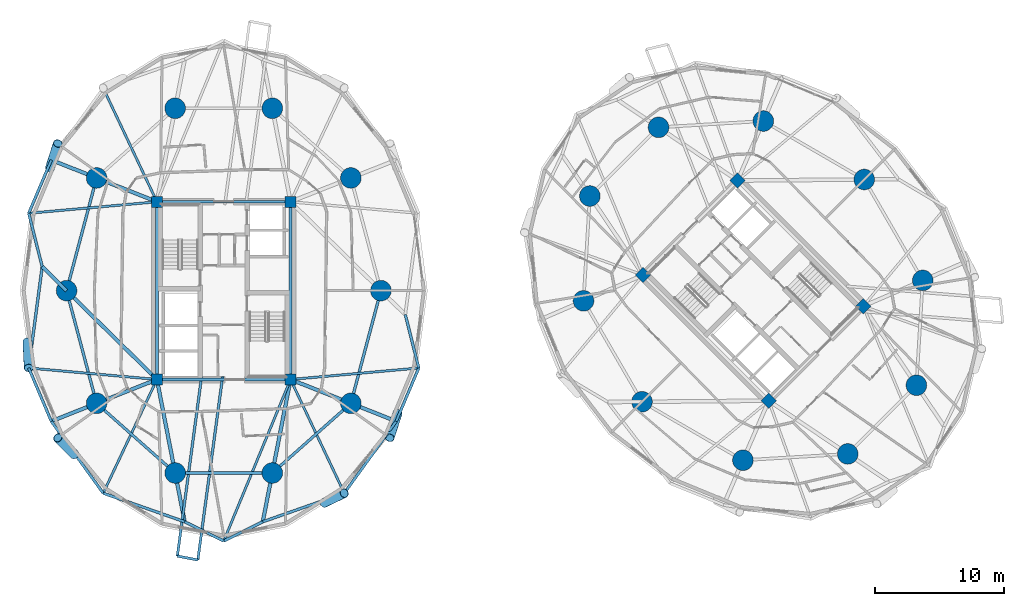
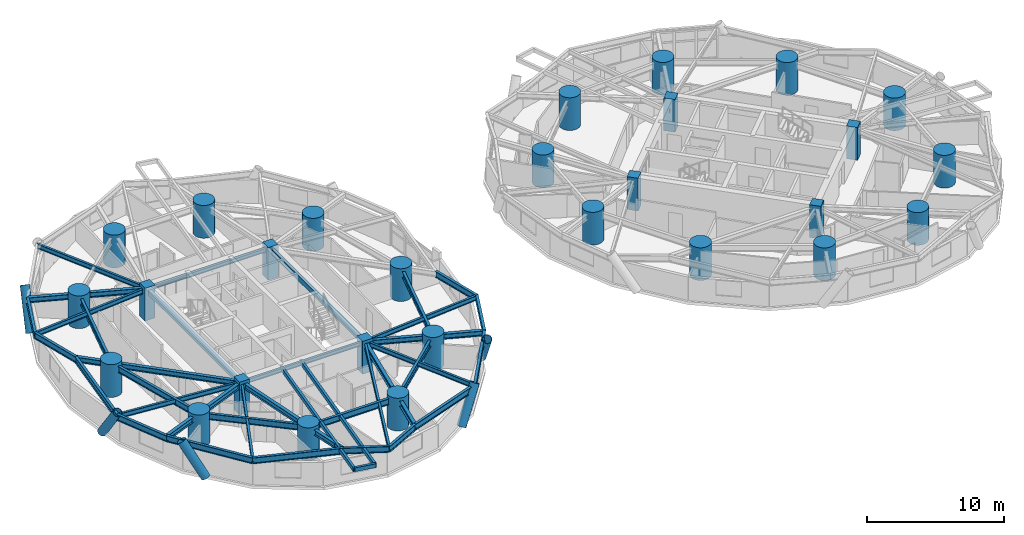
# One storey, part 1 of 18: 39 beams, 28 columns, 5 members.
"""IFC4 building model written with IfcOpenShell, lengths in metres."""

from ifc_helpers import new_model, si_unit, direction, frame, origin, origin_2d, place, context, subcontext, project, spatial, rectangle, hollow_rectangle, circle, hollow_circle, i_section, extrude, material, material_profile, profile_set, type_object, element, save


model = new_model("IFC4")

# Units and contexts
model_context = context("Model", 3, precision=1e-05, world=origin(), true_north=direction((0.0, 1.0)))
body_context = subcontext(model_context, "Body", "Model", "MODEL_VIEW")
ifc_project = project(units=[si_unit("LENGTHUNIT", "METRE"), si_unit("AREAUNIT", "SQUARE_METRE"), si_unit("VOLUMEUNIT", "CUBIC_METRE"), si_unit("PLANEANGLEUNIT", "RADIAN"), si_unit("MASSUNIT", "GRAM", prefix="KILO")], contexts=[model_context])

# Site, building, storey
site_placement = place(None, origin())
site = spatial("IfcSite", under=ifc_project, at=site_placement, CompositionType="ELEMENT")
building_placement = place(site_placement, origin())
building = spatial("IfcBuilding", under=site, at=building_placement, Name="Cununo Teusaquillo Station Towers", CompositionType="ELEMENT")
storey_placement = place(building_placement, frame((0.0, 0.0, 45.280029296875)))
storey = spatial("IfcBuildingStorey", under=building, at=storey_placement, Name="L13", CompositionType="ELEMENT", Elevation=45.280029296875)

# Columns
ifc_material_1 = material(Name="Concrete C50/60", Category="concrete")
ifc_material_profile_1 = material_profile(ifc_material_1, rectangle(XDim=0.85009765625, YDim=0.85009765625, at=origin_2d()), Name="RC-RECT-850x850")
ifc_profile_set_1 = profile_set([ifc_material_profile_1], Name="Concrete C50/60")
column_type_1 = type_object("IfcColumnType", Name="COL-CORE-Z1", PredefinedType="COLUMN", material=ifc_profile_set_1)
for number, where, z_axis, x_axis, name in (
    (1, (11.324951171875, 17.6201171875, 0.0), (0.0, 0.0, 1.0), (1.0, 0.0, 0.0), "L13 Tower A Core Column 1"),
    (2, (11.324951171875, 31.3798828125, 0.0), (0.0, 0.0, 1.0), (1.0, 0.0, 0.0), "L13 Tower A Core Column 2"),
    (3, (21.675048828125, 17.6201171875, 0.0), (0.0, 0.0, 1.0), (1.0, 0.0, 0.0), "L13 Tower A Core Column 3"),
    (4, (21.675048828125, 31.3798828125, 0.0), (0.0, 0.0, 1.0), (1.0, 0.0, 0.0), "L13 Tower A Core Column 4"),
    (5, (58.70556640625, 15.975830078125, 0.0), (0.0, 0.0, 1.0), (0.707106781187, 0.707106781187, 0.0), "L13 Tower B Core Column 1"),
    (6, (48.975830078125, 25.70556640625, 0.0), (0.0, 0.0, 1.0), (0.707106781187, 0.707106781187, 0.0), "L13 Tower B Core Column 2"),
    (7, (66.024169921875, 23.29443359375, 0.0), (0.0, 0.0, 1.0), (0.707106781187, 0.707106781187, 0.0), "L13 Tower B Core Column 3"),
    (8, (56.29443359375, 33.024169921875, 0.0), (0.0, 0.0, 1.0), (0.707106781187, 0.707106781187, 0.0), "L13 Tower B Core Column 4"),
):
    element("IfcColumn", number, at=place(storey_placement, frame(where, z_axis=z_axis, x_axis=x_axis)), inside=storey, type_object=column_type_1, Name=name, PredefinedType="COLUMN", context=body_context, shape_type="SweptSolid", body=[
        extrude(rectangle(XDim=0.85009765625, YDim=0.85009765625, at=origin_2d()), origin(), (0.0, 0.0, 1.0), 2.909912109375),
    ])
ifc_material_2 = material(Name="Concrete C60/75", Category="concrete")
ifc_material_profile_2 = material_profile(ifc_material_2, circle(Radius=0.800048828125, at=origin_2d()), Name="RC-CIRC-1600")
ifc_profile_set_2 = profile_set([ifc_material_profile_2], Name="Concrete C60/75")
column_type_2 = type_object("IfcColumnType", Name="COL-MEGA-Z1", PredefinedType="USERDEFINED", material=ifc_profile_set_2)
for number, where, z_axis, x_axis, name in (
    (9, (28.672119140625, 24.5, 0.0), (0.0, 0.0, 1.0), (1.0, 0.0, 0.0), "L13 Tower A Perimeter Column V00"),
    (10, (26.347412109375, 33.228515625, 0.0), (0.0, 0.0, 1.0), (1.0, 0.0, 0.0), "L13 Tower A Perimeter Column V02"),
    (11, (20.261474609375, 38.623291015625, 0.0), (0.0, 0.0, 1.0), (1.0, 0.0, 0.0), "L13 Tower A Perimeter Column V04"),
    (12, (12.738525390625, 38.623291015625, 0.0), (0.0, 0.0, 1.0), (1.0, 0.0, 0.0), "L13 Tower A Perimeter Column V06"),
    (13, (6.652587890625, 33.228515625, 0.0), (0.0, 0.0, 1.0), (1.0, 0.0, 0.0), "L13 Tower A Perimeter Column V08"),
    (14, (4.327880859375, 24.5, 0.0), (0.0, 0.0, 1.0), (1.0, 0.0, 0.0), "L13 Tower A Perimeter Column V10"),
    (15, (6.652587890625, 15.771484375, 0.0), (0.0, 0.0, 1.0), (1.0, 0.0, 0.0), "L13 Tower A Perimeter Column V12"),
    (16, (12.738525390625, 10.376708984375, 0.0), (0.0, 0.0, 1.0), (1.0, 0.0, 0.0), "L13 Tower A Perimeter Column V14"),
    (17, (20.261474609375, 10.376708984375, 0.0), (0.0, 0.0, 1.0), (1.0, 0.0, 0.0), "L13 Tower A Perimeter Column V16"),
    (18, (26.347412109375, 15.771484375, 0.0), (0.0, 0.0, 1.0), (1.0, 0.0, 0.0), "L13 Tower A Perimeter Column V18"),
    (19, (66.10693359375, 33.10693359375, 0.0), (0.0, 0.0, 1.0), (1.0, 0.0, 0.0), "L13 Tower B Perimeter Column V00"),
    (20, (58.291015625, 37.63525390625, 0.0), (0.0, 0.0, 1.0), (1.0, 0.0, 0.0), "L13 Tower B Perimeter Column V02"),
    (21, (50.173095703125, 37.146240234375, 0.0), (0.0, 0.0, 1.0), (1.0, 0.0, 0.0), "L13 Tower B Perimeter Column V04"),
    (22, (44.853759765625, 31.826904296875, 0.0), (0.0, 0.0, 1.0), (1.0, 0.0, 0.0), "L13 Tower B Perimeter Column V06"),
    (23, (44.36474609375, 23.708984375, 0.0), (0.0, 0.0, 1.0), (1.0, 0.0, 0.0), "L13 Tower B Perimeter Column V08"),
    (24, (48.89306640625, 15.89306640625, 0.0), (0.0, 0.0, 1.0), (1.0, 0.0, 0.0), "L13 Tower B Perimeter Column V10"),
    (25, (56.708984375, 11.36474609375, 0.0), (0.0, 0.0, 1.0), (1.0, 0.0, 0.0), "L13 Tower B Perimeter Column V12"),
    (26, (64.826904296875, 11.853759765625, 0.0), (0.0, 0.0, 1.0), (1.0, 0.0, 0.0), "L13 Tower B Perimeter Column V14"),
    (27, (70.146240234375, 17.173095703125, 0.0), (0.0, 0.0, 1.0), (1.0, 0.0, 0.0), "L13 Tower B Perimeter Column V16"),
    (28, (70.63525390625, 25.291015625, 0.0), (0.0, 0.0, 1.0), (1.0, 0.0, 0.0), "L13 Tower B Perimeter Column V18"),
):
    element("IfcColumn", number, at=place(storey_placement, frame(where, z_axis=z_axis, x_axis=x_axis)), inside=storey, type_object=column_type_2, Name=name, ObjectType="MEGA COLUMN", PredefinedType="USERDEFINED", context=body_context, shape_type="SweptSolid", body=[
        extrude(circle(Radius=0.800048828125, at=origin_2d()), origin(), (0.0, 0.0, 1.0), 2.909912109375),
    ])

# Beams
ifc_material_3 = material(Name="Steel EN 10025-2 S355J2", Category="steel")
ifc_material_profile_3 = material_profile(ifc_material_3, hollow_rectangle(XDim=0.199951171875, YDim=0.35009765625, WallThickness=0.013916015625, at=origin_2d()), Name="RHS 350x200x14")
ifc_profile_set_3 = profile_set([ifc_material_profile_3], Name="Steel EN 10025-2 S355J2")
beam_type_1 = type_object("IfcBeamType", Name="BM-BAL-CANT", PredefinedType="BEAM", material=ifc_profile_set_3)
beam_1_placement = place(storey_placement, frame((14.78759765625, 17.85009765625, 2.474853515625), z_axis=(-0.133936830088, -0.990989871566, 0.0), x_axis=(0.990989871566, -0.133936830088, 0.0)))
element("IfcBeam", 29, at=beam_1_placement, inside=storey, type_object=beam_type_1, Name="L13 Tower A Balcony Cantilever Bracket 2A", PredefinedType="BEAM", context=body_context, shape_type="SweptSolid", body=[
    extrude(hollow_rectangle(XDim=0.199951171875, YDim=0.35009765625, WallThickness=0.013916015625, at=origin_2d()), origin(), (0.0, 0.0, 1.0), 14.031982421875),
])
beam_2_placement = place(storey_placement, frame((16.415283203125, 17.85009765625, 2.474853515625), z_axis=(-0.133924221821, -0.990991575549, 0.0), x_axis=(0.990991575549, -0.133924221821, 0.0)))
element("IfcBeam", 30, at=beam_2_placement, inside=storey, type_object=beam_type_1, Name="L13 Tower A Balcony Cantilever Bracket 2B", PredefinedType="BEAM", context=body_context, shape_type="SweptSolid", body=[
    extrude(hollow_rectangle(XDim=0.199951171875, YDim=0.35009765625, WallThickness=0.013916015625, at=origin_2d()), origin(), (0.0, 0.0, 1.0), 14.34130859375),
])
ifc_material_4 = material(Name="Steel EN 10025-2 S355J2", Category="steel")
ifc_material_profile_4 = material_profile(ifc_material_4, hollow_rectangle(XDim=0.25, YDim=0.449951171875, WallThickness=0.01611328125, at=origin_2d()), Name="RHS 450x250x16")
ifc_profile_set_4 = profile_set([ifc_material_profile_4], Name="Steel EN 10025-2 S355J2")
beam_type_2 = type_object("IfcBeamType", Name="BM-COUP-1", PredefinedType="USERDEFINED", material=ifc_profile_set_4)
for number, where, z_axis, x_axis, name in (
    (31, (11.324951171875, 17.6201171875, 2.425048828125), (0.0, 1.0, 0.0), (-1.0, 0.0, 0.0), "L13 Tower A Core Beam 1"),
    (32, (21.675048828125, 17.6201171875, 2.425048828125), (0.0, 1.0, 0.0), (-1.0, 0.0, 0.0), "L13 Tower A Core Beam 2"),
):
    element("IfcBeam", number, at=place(storey_placement, frame(where, z_axis=z_axis, x_axis=x_axis)), inside=storey, type_object=beam_type_2, Name=name, ObjectType="COUPLING BEAM", PredefinedType="USERDEFINED", context=body_context, shape_type="SweptSolid", body=[
        extrude(hollow_rectangle(XDim=0.25, YDim=0.449951171875, WallThickness=0.01611328125, at=origin_2d()), origin(), (0.0, 0.0, 1.0), 13.759765625),
    ])
ifc_material_5 = material(Name="Steel ASTM A572 Grade 50", Category="steel")
ifc_material_profile_5 = material_profile(ifc_material_5, i_section(OverallWidth=0.180908203125, OverallDepth=0.4169921875, WebThickness=0.010986328125, FlangeThickness=0.018310546875, FilletRadius=0.012939453125, at=origin_2d()), Name="W16X57")
ifc_profile_set_5 = profile_set([ifc_material_profile_5], Name="Steel ASTM A572 Grade 50")
beam_type_3 = type_object("IfcBeamType", Name="BM-JOIST-1", PredefinedType="JOIST", material=ifc_profile_set_5)
beam_3_placement = place(storey_placement, frame((11.324951171875, 31.3798828125, 2.44140625), z_axis=(-0.427160580437, 0.904175778552, 0.0), x_axis=(-0.904175778552, -0.427160580437, 0.0)))
element("IfcBeam", 33, at=beam_3_placement, inside=storey, type_object=beam_type_3, Name="L13 Tower A Radial Spandrel Joist V07", PredefinedType="JOIST", context=body_context, shape_type="SweptSolid", body=[
    extrude(i_section(OverallWidth=0.180908203125, OverallDepth=0.4169921875, WebThickness=0.010986328125, FlangeThickness=0.018310546875, FilletRadius=0.012939453125, at=origin_2d()), origin(), (0.0, 0.0, 1.0), 9.740234375),
])
for number, where, z_axis, x_axis, name in (
    (34, (11.324951171875, 31.3798828125, 2.44140625), (-0.996024214913, -0.089082901314, 0.0), (0.089082901314, -0.996024214913, 0.0), "L13 Tower A Radial Spandrel Joist V09"),
    (35, (11.324951171875, 17.6201171875, 2.44140625), (-0.996024214913, 0.089082901314, 0.0), (-0.089082901314, -0.996024214913, 0.0), "L13 Tower A Radial Spandrel Joist V11"),
):
    element("IfcBeam", number, at=place(storey_placement, frame(where, z_axis=z_axis, x_axis=x_axis)), inside=storey, type_object=beam_type_3, Name=name, PredefinedType="JOIST", context=body_context, shape_type="SweptSolid", body=[
        extrude(i_section(OverallWidth=0.180908203125, OverallDepth=0.4169921875, WebThickness=0.010986328125, FlangeThickness=0.018310546875, FilletRadius=0.012939453125, at=origin_2d()), origin(), (0.0, 0.0, 1.0), 9.97021484375),
    ])
beam_4_placement = place(storey_placement, frame((11.324951171875, 17.6201171875, 2.44140625), z_axis=(-0.427160580437, -0.904175778552, 0.0), x_axis=(0.904175778552, -0.427160580437, 0.0)))
element("IfcBeam", 36, at=beam_4_placement, inside=storey, type_object=beam_type_3, Name="L13 Tower A Radial Spandrel Joist V13", PredefinedType="JOIST", context=body_context, shape_type="SweptSolid", body=[
    extrude(i_section(OverallWidth=0.180908203125, OverallDepth=0.4169921875, WebThickness=0.010986328125, FlangeThickness=0.018310546875, FilletRadius=0.012939453125, at=origin_2d()), origin(), (0.0, 0.0, 1.0), 9.740234375),
])
beam_5_placement = place(storey_placement, frame((21.675048828125, 17.6201171875, 2.44140625), z_axis=(-0.382256753081, -0.924056153447, 0.0), x_axis=(0.924056153447, -0.382256753081, 0.0)))
element("IfcBeam", 37, at=beam_5_placement, inside=storey, type_object=beam_type_3, Name="L13 Tower A Radial Spandrel Joist V15", PredefinedType="JOIST", context=body_context, shape_type="SweptSolid", body=[
    extrude(i_section(OverallWidth=0.180908203125, OverallDepth=0.4169921875, WebThickness=0.010986328125, FlangeThickness=0.018310546875, FilletRadius=0.012939453125, at=origin_2d()), origin(), (0.0, 0.0, 1.0), 13.5380859375),
])
beam_6_placement = place(storey_placement, frame((21.675048828125, 17.6201171875, 2.44140625), z_axis=(0.427160580437, -0.904175778552, 0.0), x_axis=(0.904175778552, 0.427160580437, 0.0)))
element("IfcBeam", 38, at=beam_6_placement, inside=storey, type_object=beam_type_3, Name="L13 Tower A Radial Spandrel Joist V17", PredefinedType="JOIST", context=body_context, shape_type="SweptSolid", body=[
    extrude(i_section(OverallWidth=0.180908203125, OverallDepth=0.4169921875, WebThickness=0.010986328125, FlangeThickness=0.018310546875, FilletRadius=0.012939453125, at=origin_2d()), origin(), (0.0, 0.0, 1.0), 9.740234375),
])
beam_7_placement = place(storey_placement, frame((21.675048828125, 17.6201171875, 2.44140625), z_axis=(0.996024214913, 0.089082901314, 0.0), x_axis=(-0.089082901314, 0.996024214913, 0.0)))
element("IfcBeam", 39, at=beam_7_placement, inside=storey, type_object=beam_type_3, Name="L13 Tower A Radial Spandrel Joist V19", PredefinedType="JOIST", context=body_context, shape_type="SweptSolid", body=[
    extrude(i_section(OverallWidth=0.180908203125, OverallDepth=0.4169921875, WebThickness=0.010986328125, FlangeThickness=0.018310546875, FilletRadius=0.012939453125, at=origin_2d()), origin(), (0.0, 0.0, 1.0), 9.97021484375),
])
ifc_material_6 = material(Name="Steel ASTM A572 Grade 50", Category="steel")
ifc_material_profile_6 = material_profile(ifc_material_6, i_section(OverallWidth=0.2041015625, OverallDepth=0.35009765625, WebThickness=0.008544921875, FlangeThickness=0.01513671875, FilletRadius=0.011962890625, at=origin_2d()), Name="W14X48")
ifc_profile_set_6 = profile_set([ifc_material_profile_6], Name="Steel ASTM A572 Grade 50")
beam_type_4 = type_object("IfcBeamType", Name="BM-LINTEL-1", PredefinedType="LINTEL", material=ifc_profile_set_6)
for number, where, z_axis, x_axis, name in (
    (40, (11.324951171875, 17.6201171875, 2.474853515625), (1.0, 0.0, 0.0), (0.0, 1.0, 0.0), "L13 Tower A Core Beam 3"),
    (41, (11.324951171875, 31.3798828125, 2.474853515625), (1.0, 0.0, 0.0), (0.0, 1.0, 0.0), "L13 Tower A Core Beam 4"),
):
    element("IfcBeam", number, at=place(storey_placement, frame(where, z_axis=z_axis, x_axis=x_axis)), inside=storey, type_object=beam_type_4, Name=name, PredefinedType="LINTEL", context=body_context, shape_type="SweptSolid", body=[
        extrude(i_section(OverallWidth=0.2041015625, OverallDepth=0.35009765625, WebThickness=0.008544921875, FlangeThickness=0.01513671875, FilletRadius=0.011962890625, at=origin_2d()), origin(), (0.0, 0.0, 1.0), 10.35009765625),
    ])
ifc_material_7 = material(Name="Steel ASTM A572 Grade 50", Category="steel")
ifc_material_profile_7 = material_profile(ifc_material_7, i_section(OverallWidth=0.280029296875, OverallDepth=0.462890625, WebThickness=0.0107421875, FlangeThickness=0.017333984375, FilletRadius=0.013916015625, at=origin_2d()), Name="W18X76")
ifc_profile_set_7 = profile_set([ifc_material_profile_7], Name="Steel ASTM A572 Grade 50")
beam_type_5 = type_object("IfcBeamType", Name="BM-RAD-G1", PredefinedType="BEAM", material=ifc_profile_set_7)
beam_8_placement = place(storey_placement, frame((11.324951171875, 31.3798828125, 2.41845703125), z_axis=(-0.929867137966, 0.367895509256, 0.0), x_axis=(-0.367895509256, -0.929867137966, 0.0)))
element("IfcBeam", 42, at=beam_8_placement, inside=storey, type_object=beam_type_5, Name="L13 Tower A Continuous Overhanging Radial Girder 05", PredefinedType="BEAM", context=body_context, shape_type="SweptSolid", body=[
    extrude(i_section(OverallWidth=0.280029296875, OverallDepth=0.462890625, WebThickness=0.0107421875, FlangeThickness=0.017333984375, FilletRadius=0.013916015625, at=origin_2d()), origin(), (0.0, 0.0, 1.0), 8.798095703125),
])
beam_9_placement = place(storey_placement, frame((11.324951171875, 17.6201171875, 2.41845703125), z_axis=(-0.713052701438, 0.701110437073, 0.0), x_axis=(-0.701110437073, -0.713052701438, 0.0)))
element("IfcBeam", 43, at=beam_9_placement, inside=storey, type_object=beam_type_5, Name="L13 Tower A Radial Girder 06A", PredefinedType="BEAM", context=body_context, shape_type="SweptSolid", body=[
    extrude(i_section(OverallWidth=0.280029296875, OverallDepth=0.462890625, WebThickness=0.0107421875, FlangeThickness=0.017333984375, FilletRadius=0.013916015625, at=origin_2d()), origin(), (0.0, 0.0, 1.0), 9.812744140625),
])
beam_10_placement = place(storey_placement, frame((4.327880859375, 24.5, 2.41845703125), z_axis=(-0.713032905062, 0.701130570079, 0.0), x_axis=(-0.701130570079, -0.713032905062, 0.0)))
element("IfcBeam", 44, at=beam_10_placement, inside=storey, type_object=beam_type_5, Name="L13 Tower A Perimeter Overhang Girder 06B", PredefinedType="BEAM", context=body_context, shape_type="SweptSolid", body=[
    extrude(i_section(OverallWidth=0.280029296875, OverallDepth=0.462890625, WebThickness=0.0107421875, FlangeThickness=0.017333984375, FilletRadius=0.013916015625, at=origin_2d()), origin(), (0.0, 0.0, 1.0), 2.64599609375),
])
beam_11_placement = place(storey_placement, frame((11.324951171875, 17.6201171875, 2.41845703125), z_axis=(-0.929867137966, -0.367895509256, 0.0), x_axis=(0.367895509256, -0.929867137966, 0.0)))
element("IfcBeam", 45, at=beam_11_placement, inside=storey, type_object=beam_type_5, Name="L13 Tower A Continuous Overhanging Radial Girder 07", PredefinedType="BEAM", context=body_context, shape_type="SweptSolid", body=[
    extrude(i_section(OverallWidth=0.280029296875, OverallDepth=0.462890625, WebThickness=0.0107421875, FlangeThickness=0.017333984375, FilletRadius=0.013916015625, at=origin_2d()), origin(), (0.0, 0.0, 1.0), 8.798095703125),
])
for number, where, z_axis, x_axis, name in (
    (46, (11.324951171875, 17.6201171875, 2.41845703125), (0.191552755713, -0.981482318628, 0.0), (0.981482318628, 0.191552755713, 0.0), "L13 Tower A Continuous Overhanging Radial Girder 08"),
    (47, (21.675048828125, 17.6201171875, 2.41845703125), (-0.191552755713, -0.981482318628, 0.0), (0.981482318628, -0.191552755713, 0.0), "L13 Tower A Continuous Overhanging Radial Girder 09"),
):
    element("IfcBeam", number, at=place(storey_placement, frame(where, z_axis=z_axis, x_axis=x_axis)), inside=storey, type_object=beam_type_5, Name=name, PredefinedType="BEAM", context=body_context, shape_type="SweptSolid", body=[
        extrude(i_section(OverallWidth=0.280029296875, OverallDepth=0.462890625, WebThickness=0.0107421875, FlangeThickness=0.017333984375, FilletRadius=0.013916015625, at=origin_2d()), origin(), (0.0, 0.0, 1.0), 11.22998046875),
    ])
beam_12_placement = place(storey_placement, frame((21.675048828125, 17.6201171875, 2.41845703125), z_axis=(0.929867137966, -0.367895509256, 0.0), x_axis=(0.367895509256, 0.929867137966, 0.0)))
element("IfcBeam", 48, at=beam_12_placement, inside=storey, type_object=beam_type_5, Name="L13 Tower A Continuous Overhanging Radial Girder 10", PredefinedType="BEAM", context=body_context, shape_type="SweptSolid", body=[
    extrude(i_section(OverallWidth=0.280029296875, OverallDepth=0.462890625, WebThickness=0.0107421875, FlangeThickness=0.017333984375, FilletRadius=0.013916015625, at=origin_2d()), origin(), (0.0, 0.0, 1.0), 8.798095703125),
])
ifc_material_8 = material(Name="Steel ASTM A572 Grade 50", Category="steel")
ifc_material_profile_8 = material_profile(ifc_material_8, i_section(OverallWidth=0.214111328125, OverallDepth=0.549072265625, WebThickness=0.0146484375, FlangeThickness=0.023681640625, FilletRadius=0.014892578125, at=origin_2d()), Name="W21X93")
ifc_profile_set_8 = profile_set([ifc_material_profile_8], Name="Steel ASTM A572 Grade 50")
beam_type_6 = type_object("IfcBeamType", Name="BM-RING-Z1", PredefinedType="SPANDREL", material=ifc_profile_set_8)
for number, where, z_axis, x_axis, name in (
    (49, (6.652587890625, 33.228515625, 2.37548828125), (-0.257363196347, -0.966314744359, 0.0), (0.966314744359, -0.257363196347, 0.0), "L13 Tower A Structural Column Ring Girder 05"),
    (50, (4.327880859375, 24.5, 2.37548828125), (0.257363196347, -0.966314744359, 0.0), (0.966314744359, 0.257363196347, 0.0), "L13 Tower A Structural Column Ring Girder 06"),
):
    element("IfcBeam", number, at=place(storey_placement, frame(where, z_axis=z_axis, x_axis=x_axis)), inside=storey, type_object=beam_type_6, Name=name, PredefinedType="SPANDREL", context=body_context, shape_type="SweptSolid", body=[
        extrude(i_section(OverallWidth=0.214111328125, OverallDepth=0.549072265625, WebThickness=0.0146484375, FlangeThickness=0.023681640625, FilletRadius=0.014892578125, at=origin_2d()), origin(), (0.0, 0.0, 1.0), 9.03271484375),
    ])
beam_13_placement = place(storey_placement, frame((6.652587890625, 15.771484375, 2.37548828125), z_axis=(0.74832120039, -0.66333655187, 0.0), x_axis=(0.66333655187, 0.74832120039, 0.0)))
element("IfcBeam", 51, at=beam_13_placement, inside=storey, type_object=beam_type_6, Name="L13 Tower A Structural Column Ring Girder 07", PredefinedType="SPANDREL", context=body_context, shape_type="SweptSolid", body=[
    extrude(i_section(OverallWidth=0.214111328125, OverallDepth=0.549072265625, WebThickness=0.0146484375, FlangeThickness=0.023681640625, FilletRadius=0.014892578125, at=origin_2d()), origin(), (0.0, 0.0, 1.0), 8.1328125),
])
beam_14_placement = place(storey_placement, frame((12.738525390625, 10.376708984375, 2.37548828125), z_axis=(1.0, 0.0, 0.0), x_axis=(0.0, 1.0, 0.0)))
element("IfcBeam", 52, at=beam_14_placement, inside=storey, type_object=beam_type_6, Name="L13 Tower A Structural Column Ring Girder 08", PredefinedType="SPANDREL", context=body_context, shape_type="SweptSolid", body=[
    extrude(i_section(OverallWidth=0.214111328125, OverallDepth=0.549072265625, WebThickness=0.0146484375, FlangeThickness=0.023681640625, FilletRadius=0.014892578125, at=origin_2d()), origin(), (0.0, 0.0, 1.0), 7.52294921875),
])
beam_15_placement = place(storey_placement, frame((20.261474609375, 10.376708984375, 2.37548828125), z_axis=(0.74832120039, 0.66333655187, 0.0), x_axis=(-0.66333655187, 0.74832120039, 0.0)))
element("IfcBeam", 53, at=beam_15_placement, inside=storey, type_object=beam_type_6, Name="L13 Tower A Structural Column Ring Girder 09", PredefinedType="SPANDREL", context=body_context, shape_type="SweptSolid", body=[
    extrude(i_section(OverallWidth=0.214111328125, OverallDepth=0.549072265625, WebThickness=0.0146484375, FlangeThickness=0.023681640625, FilletRadius=0.014892578125, at=origin_2d()), origin(), (0.0, 0.0, 1.0), 8.1328125),
])
beam_16_placement = place(storey_placement, frame((26.347412109375, 15.771484375, 2.37548828125), z_axis=(0.257363196347, 0.966314744359, 0.0), x_axis=(-0.966314744359, 0.257363196347, 0.0)))
element("IfcBeam", 54, at=beam_16_placement, inside=storey, type_object=beam_type_6, Name="L13 Tower A Structural Column Ring Girder 10", PredefinedType="SPANDREL", context=body_context, shape_type="SweptSolid", body=[
    extrude(i_section(OverallWidth=0.214111328125, OverallDepth=0.549072265625, WebThickness=0.0146484375, FlangeThickness=0.023681640625, FilletRadius=0.014892578125, at=origin_2d()), origin(), (0.0, 0.0, 1.0), 9.03271484375),
])
beam_17_placement = place(storey_placement, frame((3.143798828125, 34.61669921875, 2.37548828125), z_axis=(-0.390457491743, -0.920620957366, 0.0), x_axis=(0.920620957366, -0.390457491743, 0.0)))
element("IfcBeam", 55, at=beam_17_placement, inside=storey, type_object=beam_type_6, Name="L13 Tower A Spandrel Ring Beam 09", PredefinedType="SPANDREL", context=body_context, shape_type="SweptSolid", body=[
    extrude(i_section(OverallWidth=0.214111328125, OverallDepth=0.549072265625, WebThickness=0.0146484375, FlangeThickness=0.023681640625, FilletRadius=0.014892578125, at=origin_2d()), origin(), (0.0, 0.0, 1.0), 4.480712890625),
])
beam_18_placement = place(storey_placement, frame((1.394287109375, 30.49169921875, 2.37548828125), z_axis=(0.24534835638, -0.969434981843, 0.0), x_axis=(0.969434981843, 0.24534835638, 0.0)))
element("IfcBeam", 56, at=beam_18_placement, inside=storey, type_object=beam_type_6, Name="L13 Tower A Spandrel Ring Beam 10", PredefinedType="SPANDREL", context=body_context, shape_type="SweptSolid", body=[
    extrude(i_section(OverallWidth=0.214111328125, OverallDepth=0.549072265625, WebThickness=0.0146484375, FlangeThickness=0.023681640625, FilletRadius=0.014892578125, at=origin_2d()), origin(), (0.0, 0.0, 1.0), 4.266845703125),
])
beam_19_placement = place(storey_placement, frame((2.441162109375, 26.355224609375, 2.37548828125), z_axis=(-0.132240482179, -0.991217662712, 0.0), x_axis=(0.991217662712, -0.132240482179, 0.0)))
element("IfcBeam", 57, at=beam_19_placement, inside=storey, type_object=beam_type_6, Name="L13 Tower A Spandrel Ring Beam 11", PredefinedType="SPANDREL", context=body_context, shape_type="SweptSolid", body=[
    extrude(i_section(OverallWidth=0.214111328125, OverallDepth=0.549072265625, WebThickness=0.0146484375, FlangeThickness=0.023681640625, FilletRadius=0.014892578125, at=origin_2d()), origin(), (0.0, 0.0, 1.0), 7.91650390625),
])
beam_20_placement = place(storey_placement, frame((1.394287109375, 18.50830078125, 2.37548828125), z_axis=(0.390457491743, -0.920620957366, 0.0), x_axis=(0.920620957366, 0.390457491743, 0.0)))
element("IfcBeam", 58, at=beam_20_placement, inside=storey, type_object=beam_type_6, Name="L13 Tower A Spandrel Ring Beam 12", PredefinedType="SPANDREL", context=body_context, shape_type="SweptSolid", body=[
    extrude(i_section(OverallWidth=0.214111328125, OverallDepth=0.549072265625, WebThickness=0.0146484375, FlangeThickness=0.023681640625, FilletRadius=0.014892578125, at=origin_2d()), origin(), (0.0, 0.0, 1.0), 4.480712890625),
])
beam_21_placement = place(storey_placement, frame((3.143798828125, 14.38330078125, 2.37548828125), z_axis=(0.585268642749, -0.810839451319, 0.0), x_axis=(0.810839451319, 0.585268642749, 0.0)))
element("IfcBeam", 59, at=beam_21_placement, inside=storey, type_object=beam_type_6, Name="L13 Tower A Spandrel Ring Beam 13", PredefinedType="SPANDREL", context=body_context, shape_type="SweptSolid", body=[
    extrude(i_section(OverallWidth=0.214111328125, OverallDepth=0.549072265625, WebThickness=0.0146484375, FlangeThickness=0.023681640625, FilletRadius=0.014892578125, at=origin_2d()), origin(), (0.0, 0.0, 1.0), 6.86962890625),
])
beam_22_placement = place(storey_placement, frame((7.164306640625, 8.813232421875, 2.37548828125), z_axis=(0.943579776012, -0.33114529485, 0.0), x_axis=(0.33114529485, 0.943579776012, 0.0)))
element("IfcBeam", 60, at=beam_22_placement, inside=storey, type_object=beam_type_6, Name="L13 Tower A Spandrel Ring Beam 14", PredefinedType="SPANDREL", context=body_context, shape_type="SweptSolid", body=[
    extrude(i_section(OverallWidth=0.214111328125, OverallDepth=0.549072265625, WebThickness=0.0146484375, FlangeThickness=0.023681640625, FilletRadius=0.014892578125, at=origin_2d()), origin(), (0.0, 0.0, 1.0), 6.689208984375),
])
for number, where, z_axis, x_axis, name in (
    (61, (13.47607421875, 6.59814453125, 2.37548828125), (0.8972488299, -0.441525239645, 0.0), (0.441525239645, 0.8972488299, 0.0), "L13 Tower A Spandrel Ring Beam 15"),
    (62, (16.5, 5.110107421875, 2.37548828125), (0.8972488299, 0.441525239645, 0.0), (-0.441525239645, 0.8972488299, 0.0), "L13 Tower A Spandrel Ring Beam 16"),
):
    element("IfcBeam", number, at=place(storey_placement, frame(where, z_axis=z_axis, x_axis=x_axis)), inside=storey, type_object=beam_type_6, Name=name, PredefinedType="SPANDREL", context=body_context, shape_type="SweptSolid", body=[
        extrude(i_section(OverallWidth=0.214111328125, OverallDepth=0.549072265625, WebThickness=0.0146484375, FlangeThickness=0.023681640625, FilletRadius=0.014892578125, at=origin_2d()), origin(), (0.0, 0.0, 1.0), 3.3701171875),
    ])
beam_23_placement = place(storey_placement, frame((19.52392578125, 6.59814453125, 2.37548828125), z_axis=(0.943579776012, 0.33114529485, 0.0), x_axis=(-0.33114529485, 0.943579776012, 0.0)))
element("IfcBeam", 63, at=beam_23_placement, inside=storey, type_object=beam_type_6, Name="L13 Tower A Spandrel Ring Beam 17", PredefinedType="SPANDREL", context=body_context, shape_type="SweptSolid", body=[
    extrude(i_section(OverallWidth=0.214111328125, OverallDepth=0.549072265625, WebThickness=0.0146484375, FlangeThickness=0.023681640625, FilletRadius=0.014892578125, at=origin_2d()), origin(), (0.0, 0.0, 1.0), 6.689208984375),
])
beam_24_placement = place(storey_placement, frame((25.835693359375, 8.813232421875, 2.37548828125), z_axis=(0.585268642749, 0.810839451319, 0.0), x_axis=(-0.810839451319, 0.585268642749, 0.0)))
element("IfcBeam", 64, at=beam_24_placement, inside=storey, type_object=beam_type_6, Name="L13 Tower A Spandrel Ring Beam 18", PredefinedType="SPANDREL", context=body_context, shape_type="SweptSolid", body=[
    extrude(i_section(OverallWidth=0.214111328125, OverallDepth=0.549072265625, WebThickness=0.0146484375, FlangeThickness=0.023681640625, FilletRadius=0.014892578125, at=origin_2d()), origin(), (0.0, 0.0, 1.0), 6.86962890625),
])
beam_25_placement = place(storey_placement, frame((29.856201171875, 14.38330078125, 2.37548828125), z_axis=(0.390457491743, 0.920620957366, 0.0), x_axis=(-0.920620957366, 0.390457491743, 0.0)))
element("IfcBeam", 65, at=beam_25_placement, inside=storey, type_object=beam_type_6, Name="L13 Tower A Spandrel Ring Beam 19", PredefinedType="SPANDREL", context=body_context, shape_type="SweptSolid", body=[
    extrude(i_section(OverallWidth=0.214111328125, OverallDepth=0.549072265625, WebThickness=0.0146484375, FlangeThickness=0.023681640625, FilletRadius=0.014892578125, at=origin_2d()), origin(), (0.0, 0.0, 1.0), 4.480712890625),
])
beam_26_placement = place(storey_placement, frame((31.605712890625, 18.50830078125, 2.37548828125), z_axis=(-0.24534835638, 0.969434981843, 0.0), x_axis=(-0.969434981843, -0.24534835638, 0.0)))
element("IfcBeam", 66, at=beam_26_placement, inside=storey, type_object=beam_type_6, Name="L13 Tower A Spandrel Ring Beam 20", PredefinedType="SPANDREL", context=body_context, shape_type="SweptSolid", body=[
    extrude(i_section(OverallWidth=0.214111328125, OverallDepth=0.549072265625, WebThickness=0.0146484375, FlangeThickness=0.023681640625, FilletRadius=0.014892578125, at=origin_2d()), origin(), (0.0, 0.0, 1.0), 4.266845703125),
])
ifc_material_9 = material(Name="Steel EN 10025-2 S355J2", Category="steel")
ifc_material_profile_9 = material_profile(ifc_material_9, hollow_rectangle(XDim=0.199951171875, YDim=0.35009765625, WallThickness=0.013916015625, at=origin_2d()), Name="RHS 350x200x14")
ifc_profile_set_9 = profile_set([ifc_material_profile_9], Name="Steel EN 10025-2 S355J2")
beam_type_7 = type_object("IfcBeamType", Name="BM-STAIR-TRIM", PredefinedType="BEAM", material=ifc_profile_set_9)
beam_27_placement = place(storey_placement, frame((12.908203125, 3.944580078125, 2.52490234375), z_axis=(0.981827104253, -0.189777599714, 0.0), x_axis=(0.189777599714, 0.981827104253, 0.0)))
element("IfcBeam", 67, at=beam_27_placement, inside=storey, type_object=beam_type_7, Name="L13 Tower A Balcony Edge Trimmer Beam 2", PredefinedType="BEAM", context=body_context, shape_type="SweptSolid", body=[
    extrude(hollow_rectangle(XDim=0.199951171875, YDim=0.35009765625, WallThickness=0.013916015625, at=origin_2d()), origin(), (0.0, 0.0, 1.0), 1.61572265625),
])

# Members
ifc_material_10 = material(Name="Steel EN 10025-2 S355J2", Category="steel")
ifc_material_profile_10 = material_profile(ifc_material_10, hollow_circle(Radius=0.360107421875, WallThickness=0.028076171875, at=origin_2d()), Name="CHS 720x28")
ifc_profile_set_10 = profile_set([ifc_material_profile_10], Name="Steel EN 10025-2 S355J2")
member_type = type_object("IfcMemberType", Name="MBR-DIAG-Z1", PredefinedType="BRACE", material=ifc_profile_set_10)
member_1_placement = place(storey_placement, frame((3.038818359375, 33.996337890625, -0.14013671875), z_axis=(0.173281429054, 0.538590501641, 0.824556740247), x_axis=(-0.951944566386, 0.306270374878, 0.0)))
element("IfcMember", 68, at=member_1_placement, inside=storey, type_object=member_type, Name="L13 Tower A Folded-Zigzag Diagrid Tube C08", PredefinedType="BRACE", context=body_context, shape_type="SweptSolid", body=[
    extrude(hollow_circle(Radius=0.360107421875, WallThickness=0.028076171875, at=origin_2d()), origin(), (0.0, 0.0, 1.0), 3.529296875),
])
member_2_placement = place(storey_placement, frame((1.2939453125, 20.546630859375, -0.14013671875), z_axis=(0.028230184532, -0.5734642595, 0.818744037998), x_axis=(0.998790526748, 0.049167913103, 0.0)))
element("IfcMember", 69, at=member_2_placement, inside=storey, type_object=member_type, Name="L13 Tower A Folded-Zigzag Diagrid Tube C10", PredefinedType="BRACE", context=body_context, shape_type="SweptSolid", body=[
    extrude(hollow_circle(Radius=0.360107421875, WallThickness=0.028076171875, at=origin_2d()), origin(), (0.0, 0.0, 1.0), 3.554443359375),
])
member_3_placement = place(storey_placement, frame((4.9423828125, 11.805419921875, -0.14013671875), z_axis=(-0.375772803502, 0.377334973131, 0.846411908116), x_axis=(-0.708572006674, -0.705638513233, 0.0)))
element("IfcMember", 70, at=member_3_placement, inside=storey, type_object=member_type, Name="L13 Tower A Folded-Zigzag Diagrid Tube C12", PredefinedType="BRACE", context=body_context, shape_type="SweptSolid", body=[
    extrude(hollow_circle(Radius=0.360107421875, WallThickness=0.028076171875, at=origin_2d()), origin(), (0.0, 0.0, 1.0), 3.438232421875),
])
member_4_placement = place(storey_placement, frame((24.27880859375, 8.06640625, -0.14013671875), z_axis=(0.460088544024, 0.220701090822, 0.860005558219), x_axis=(-0.432505826156, 0.901631138737, 0.0)))
element("IfcMember", 71, at=member_4_placement, inside=storey, type_object=member_type, Name="L13 Tower A Folded-Zigzag Diagrid Tube C16", PredefinedType="BRACE", context=body_context, shape_type="SweptSolid", body=[
    extrude(hollow_circle(Radius=0.360107421875, WallThickness=0.028076171875, at=origin_2d()), origin(), (0.0, 0.0, 1.0), 3.3837890625),
])
member_5_placement = place(storey_placement, frame((29.961181640625, 15.003662109375, -0.14013671875), z_axis=(-0.173281429054, -0.538590501641, 0.824556740247), x_axis=(0.951944566386, -0.306270374878, 0.0)))
element("IfcMember", 72, at=member_5_placement, inside=storey, type_object=member_type, Name="L13 Tower A Folded-Zigzag Diagrid Tube C18", PredefinedType="BRACE", context=body_context, shape_type="SweptSolid", body=[
    extrude(hollow_circle(Radius=0.360107421875, WallThickness=0.028076171875, at=origin_2d()), origin(), (0.0, 0.0, 1.0), 3.529296875),
])

save(model, "model.ifc")
